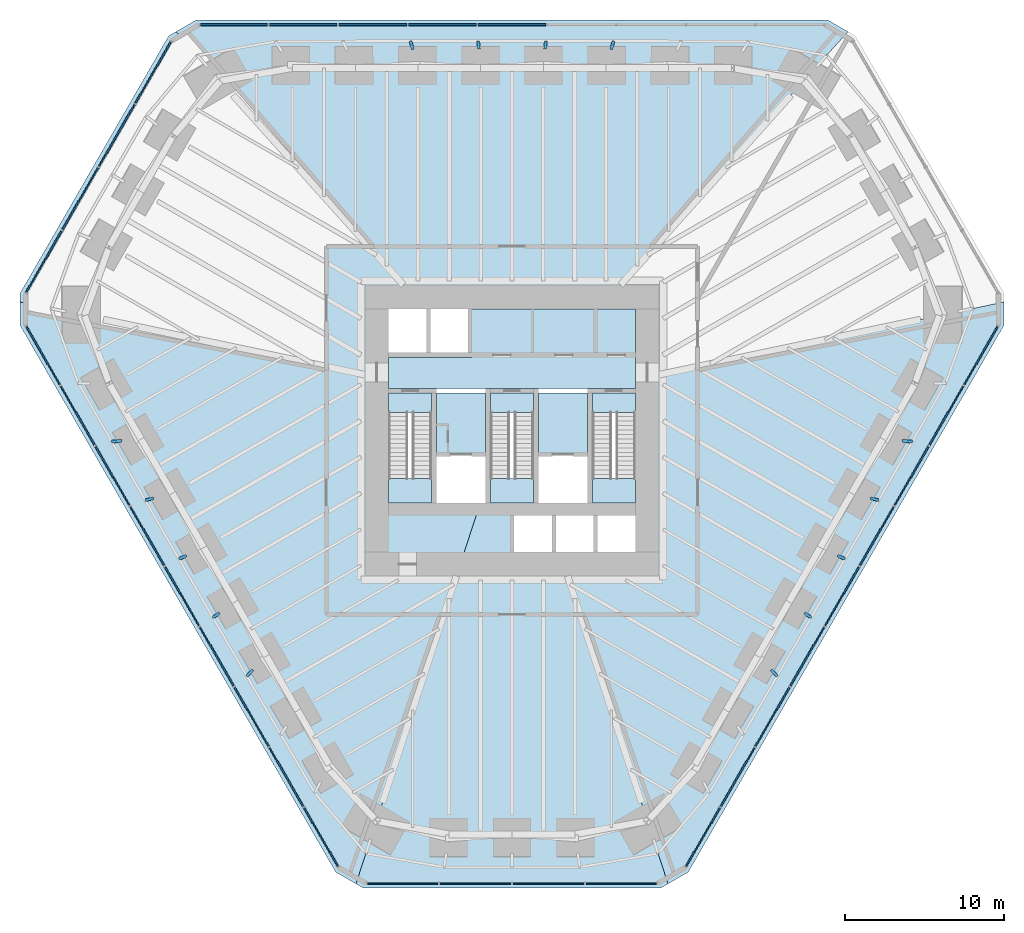
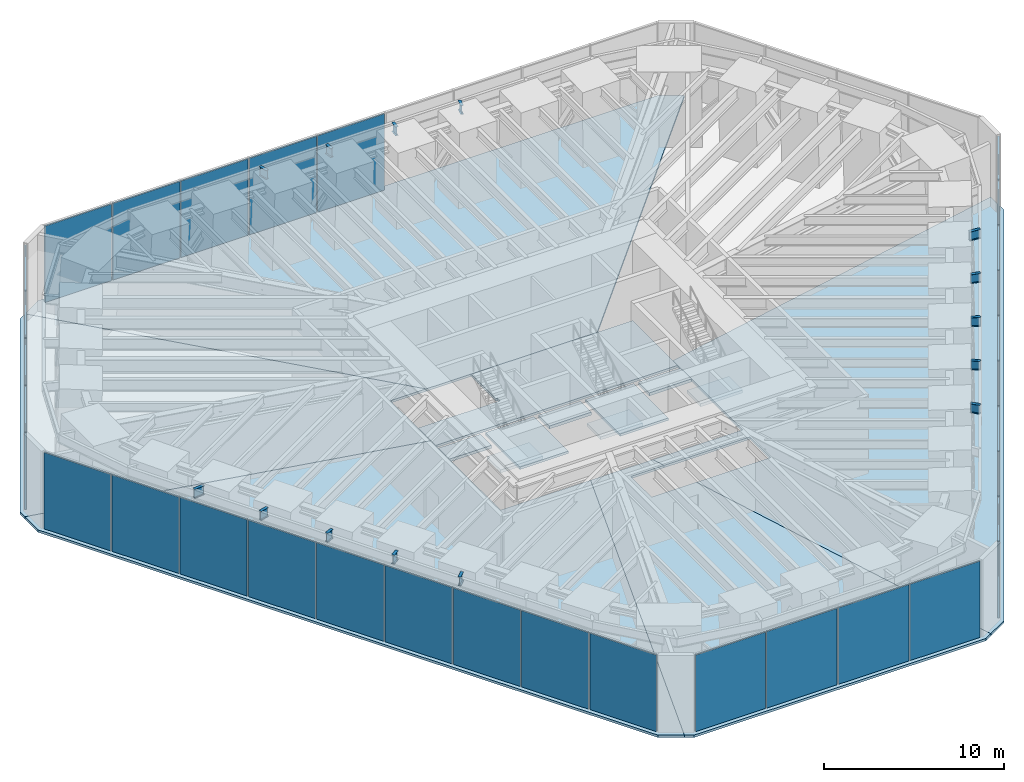
# One storey, part 10 of 13: 31 plates, 14 beams, 14 slabs, 8 elements without a shape of their own.
"""IFC4 building model written with IfcOpenShell, lengths in metres."""

from ifc_helpers import new_model, si_unit, direction, frame, origin, origin_2d, place, context, subcontext, project, spatial, polyline, rectangle, i_section, outline, extrude, material, layer, layer_set, material_profile, profile_set, type_object, element, aggregate, save


model = new_model("IFC4")

# Units and contexts
model_context = context("Model", 3, precision=1e-05, world=origin(), true_north=direction((0.0, 1.0)))
body_context = subcontext(model_context, "Body", "Model", "MODEL_VIEW")
ifc_project = project(units=[si_unit("LENGTHUNIT", "METRE"), si_unit("AREAUNIT", "SQUARE_METRE"), si_unit("VOLUMEUNIT", "CUBIC_METRE"), si_unit("PLANEANGLEUNIT", "RADIAN"), si_unit("MASSUNIT", "GRAM", prefix="KILO")], contexts=[model_context])

# Site, building, storey
site_placement = place(None, origin())
site = spatial("IfcSite", under=ifc_project, at=site_placement, CompositionType="ELEMENT")
building_placement = place(site_placement, origin())
building = spatial("IfcBuilding", under=site, at=building_placement, Name="Sandreach Pilgrim Tower", CompositionType="ELEMENT")
storey_placement = place(building_placement, frame((0.0, 0.0, 91.39990234375)))
storey = spatial("IfcBuildingStorey", under=building, at=storey_placement, Name="L22", CompositionType="ELEMENT", Elevation=91.39990234375)

# Beams
ifc_material_1 = material(Name="Steel ASTM A992 Grade 50", Category="steel")
ifc_material_profile = material_profile(ifc_material_1, i_section(OverallWidth=0.1787109375, OverallDepth=0.60205078125, WebThickness=0.010986328125, FlangeThickness=0.014892578125, at=origin_2d()), Name="W24X62")
ifc_profile_set = profile_set([ifc_material_profile], Name="Steel ASTM A992 Grade 50")
beam_type = type_object("IfcBeamType", Name="Setback roof outlooker W24X62", PredefinedType="BEAM", material=ifc_profile_set)
beam_1_placement = place(storey_placement, frame((-6.231689453125, 22.389892578125, 4.899169921875), z_axis=(-0.268093498765, 0.963392898002, 0.0), x_axis=(-0.963392898002, -0.268093498765, 0.0)))
element("IfcBeam", 1, at=beam_1_placement, inside=storey, type_object=beam_type, Name="BM L22 OL03", PredefinedType="BEAM", context=body_context, shape_type="SweptSolid", body=[
    extrude(i_section(OverallWidth=0.1787109375, OverallDepth=0.60205078125, WebThickness=0.010986328125, FlangeThickness=0.014892578125, at=origin_2d()), origin(), (0.0, 0.0, 1.0), 0.56005859375),
])
for number, where, z_axis, x_axis, name in (
    (2, (-2.080810546875, 22.4287109375, 4.899169921875), (-0.092645390143, 0.995699167261, 0.0), (-0.995699167261, -0.092645390143, 0.0), "BM L22 OL04"),
    (3, (2.080810546875, 22.4287109375, 4.899169921875), (0.092645390143, 0.995699167261, 0.0), (-0.995699167261, 0.092645390143, 0.0), "BM L22 OL05"),
):
    element("IfcBeam", number, at=place(storey_placement, frame(where, z_axis=z_axis, x_axis=x_axis)), inside=storey, type_object=beam_type, Name=name, PredefinedType="BEAM", context=body_context, shape_type="SweptSolid", body=[
        extrude(i_section(OverallWidth=0.1787109375, OverallDepth=0.60205078125, WebThickness=0.010986328125, FlangeThickness=0.014892578125, at=origin_2d()), origin(), (0.0, 0.0, 1.0), 0.51123046875),
    ])
beam_2_placement = place(storey_placement, frame((6.231689453125, 22.389892578125, 4.899169921875), z_axis=(0.268093498765, 0.963392898002, 0.0), x_axis=(-0.963392898002, 0.268093498765, 0.0)))
element("IfcBeam", 4, at=beam_2_placement, inside=storey, type_object=beam_type, Name="BM L22 OL06", PredefinedType="BEAM", context=body_context, shape_type="SweptSolid", body=[
    extrude(i_section(OverallWidth=0.1787109375, OverallDepth=0.60205078125, WebThickness=0.010986328125, FlangeThickness=0.014892578125, at=origin_2d()), origin(), (0.0, 0.0, 1.0), 0.56005859375),
])
beam_3_placement = place(storey_placement, frame((24.50927734375, -2.193603515625, 4.899169921875), z_axis=(0.996008707012, -0.089256123351, 0.0), x_axis=(0.089256123351, 0.996008707012, 0.0)))
element("IfcBeam", 5, at=beam_3_placement, inside=storey, type_object=beam_type, Name="BM L22 OL15", PredefinedType="BEAM", context=body_context, shape_type="SweptSolid", body=[
    extrude(i_section(OverallWidth=0.1787109375, OverallDepth=0.60205078125, WebThickness=0.010986328125, FlangeThickness=0.014892578125, at=origin_2d()), origin(), (0.0, 0.0, 1.0), 0.65380859375),
])
beam_4_placement = place(storey_placement, frame((22.506103515625, -5.798095703125, 4.899169921875), z_axis=(0.968321525115, -0.249706675919, 0.0), x_axis=(0.249706675919, 0.968321525115, 0.0)))
element("IfcBeam", 6, at=beam_4_placement, inside=storey, type_object=beam_type, Name="BM L22 OL16", PredefinedType="BEAM", context=body_context, shape_type="SweptSolid", body=[
    extrude(i_section(OverallWidth=0.1787109375, OverallDepth=0.60205078125, WebThickness=0.010986328125, FlangeThickness=0.014892578125, at=origin_2d()), origin(), (0.0, 0.0, 1.0), 0.560302734375),
])
beam_5_placement = place(storey_placement, frame((20.464111328125, -9.412353515625, 4.899169921875), z_axis=(0.908559320897, -0.41775586221, 0.0), x_axis=(0.41775586221, 0.908559320897, 0.0)))
element("IfcBeam", 7, at=beam_5_placement, inside=storey, type_object=beam_type, Name="BM L22 OL17", PredefinedType="BEAM", context=body_context, shape_type="SweptSolid", body=[
    extrude(i_section(OverallWidth=0.1787109375, OverallDepth=0.60205078125, WebThickness=0.010986328125, FlangeThickness=0.014892578125, at=origin_2d()), origin(), (0.0, 0.0, 1.0), 0.511474609375),
])
beam_6_placement = place(storey_placement, frame((18.38330078125, -13.016357421875, 4.899169921875), z_axis=(0.816146474828, -0.5778450758, 0.0), x_axis=(0.5778450758, 0.816146474828, 0.0)))
element("IfcBeam", 8, at=beam_6_placement, inside=storey, type_object=beam_type, Name="BM L22 OL18", PredefinedType="BEAM", context=body_context, shape_type="SweptSolid", body=[
    extrude(i_section(OverallWidth=0.1787109375, OverallDepth=0.60205078125, WebThickness=0.010986328125, FlangeThickness=0.014892578125, at=origin_2d()), origin(), (0.0, 0.0, 1.0), 0.51123046875),
])
for number, where, z_axis, x_axis, name in (
    (9, (16.2744140625, -16.591796875, 4.899169921875), (0.700097560904, -0.714047200972, 0.0), (0.714047200972, 0.700097560904, 0.0), "BM L22 OL19"),
    (10, (-16.2744140625, -16.591796875, 4.899169921875), (-0.700097560904, -0.714047200972, 0.0), (0.714047200972, -0.700097560904, 0.0), "BM L22 OL29"),
):
    element("IfcBeam", number, at=place(storey_placement, frame(where, z_axis=z_axis, x_axis=x_axis)), inside=storey, type_object=beam_type, Name=name, PredefinedType="BEAM", context=body_context, shape_type="SweptSolid", body=[
        extrude(i_section(OverallWidth=0.1787109375, OverallDepth=0.60205078125, WebThickness=0.010986328125, FlangeThickness=0.014892578125, at=origin_2d()), origin(), (0.0, 0.0, 1.0), 0.56005859375),
    ])
beam_7_placement = place(storey_placement, frame((-18.38330078125, -13.016357421875, 4.899169921875), z_axis=(-0.816146474828, -0.5778450758, 0.0), x_axis=(0.5778450758, -0.816146474828, 0.0)))
element("IfcBeam", 11, at=beam_7_placement, inside=storey, type_object=beam_type, Name="BM L22 OL30", PredefinedType="BEAM", context=body_context, shape_type="SweptSolid", body=[
    extrude(i_section(OverallWidth=0.1787109375, OverallDepth=0.60205078125, WebThickness=0.010986328125, FlangeThickness=0.014892578125, at=origin_2d()), origin(), (0.0, 0.0, 1.0), 0.51123046875),
])
beam_8_placement = place(storey_placement, frame((-20.464111328125, -9.412353515625, 4.899169921875), z_axis=(-0.908559320897, -0.41775586221, 0.0), x_axis=(0.41775586221, -0.908559320897, 0.0)))
element("IfcBeam", 12, at=beam_8_placement, inside=storey, type_object=beam_type, Name="BM L22 OL31", PredefinedType="BEAM", context=body_context, shape_type="SweptSolid", body=[
    extrude(i_section(OverallWidth=0.1787109375, OverallDepth=0.60205078125, WebThickness=0.010986328125, FlangeThickness=0.014892578125, at=origin_2d()), origin(), (0.0, 0.0, 1.0), 0.511474609375),
])
beam_9_placement = place(storey_placement, frame((-22.506103515625, -5.798095703125, 4.899169921875), z_axis=(-0.968321525115, -0.249706675919, 0.0), x_axis=(0.249706675919, -0.968321525115, 0.0)))
element("IfcBeam", 13, at=beam_9_placement, inside=storey, type_object=beam_type, Name="BM L22 OL32", PredefinedType="BEAM", context=body_context, shape_type="SweptSolid", body=[
    extrude(i_section(OverallWidth=0.1787109375, OverallDepth=0.60205078125, WebThickness=0.010986328125, FlangeThickness=0.014892578125, at=origin_2d()), origin(), (0.0, 0.0, 1.0), 0.560302734375),
])
beam_10_placement = place(storey_placement, frame((-24.50927734375, -2.193603515625, 4.899169921875), z_axis=(-0.996008707012, -0.089256123351, 0.0), x_axis=(0.089256123351, -0.996008707012, 0.0)))
element("IfcBeam", 14, at=beam_10_placement, inside=storey, type_object=beam_type, Name="BM L22 OL33", PredefinedType="BEAM", context=body_context, shape_type="SweptSolid", body=[
    extrude(i_section(OverallWidth=0.1787109375, OverallDepth=0.60205078125, WebThickness=0.010986328125, FlangeThickness=0.014892578125, at=origin_2d()), origin(), (0.0, 0.0, 1.0), 0.65380859375),
])

# Curtain wall, plates
ifc_material_2 = material(Name="Aluminium framed curtain wall", Category="aluminium")
curtain_wall_type = type_object("IfcCurtainWallType", Name="Plant storey louvred curtain wall", PredefinedType="NOTDEFINED", material=ifc_material_2)
curtain_wall_1_placement = place(storey_placement, origin())
curtain_wall_1 = element("IfcCurtainWall", 15, at=curtain_wall_1_placement, inside=storey, type_object=curtain_wall_type, Name="CW-L L22 N", PredefinedType="NOTDEFINED")
ifc_material_3 = material(Name="Aluminium weather louvre blades 100 deep", Category="aluminium")
ifc_layer_1 = layer(ifc_material_3, 0.10009765625)
ifc_layer_set_1 = layer_set([ifc_layer_1], Name="CW-L panel")
plate_type = type_object("IfcPlateType", Name="CW-L panel", PredefinedType="CURTAIN_PANEL", material=ifc_layer_set_1)
plate_1_placement = place(storey_placement, frame((-17.46630859375, 23.94873046875, 0.000244140625), z_axis=(0.0, 0.0, 1.0), x_axis=(1.0, 0.0, 0.0)))
plate_1 = element("IfcPlate", 16, at=plate_1_placement, type_object=plate_type, Name="CW-L panel 1", PredefinedType="CURTAIN_PANEL", context=body_context, shape_type="SweptSolid", body=[
    extrude(rectangle(XDim=4.25146484375, YDim=0.10009765625, at=origin_2d()), origin(), (0.0, 0.0, 1.0), 5.169921875),
])
plate_2_placement = place(storey_placement, frame((-13.11474609375, 23.94873046875, 0.000244140625), z_axis=(0.0, 0.0, 1.0), x_axis=(1.0, 0.0, 0.0)))
plate_2 = element("IfcPlate", 17, at=plate_2_placement, type_object=plate_type, Name="CW-L panel 2", PredefinedType="CURTAIN_PANEL", context=body_context, shape_type="SweptSolid", body=[
    extrude(rectangle(XDim=4.29150390625, YDim=0.10009765625, at=origin_2d()), origin(), (0.0, 0.0, 1.0), 5.169921875),
])
plate_3_placement = place(storey_placement, frame((-8.7431640625, 23.94873046875, 0.000244140625), z_axis=(0.0, 0.0, 1.0), x_axis=(1.0, 0.0, 0.0)))
plate_3 = element("IfcPlate", 18, at=plate_3_placement, type_object=plate_type, Name="CW-L panel 3", PredefinedType="CURTAIN_PANEL", context=body_context, shape_type="SweptSolid", body=[
    extrude(rectangle(XDim=4.29150390625, YDim=0.10009765625, at=origin_2d()), origin(), (0.0, 0.0, 1.0), 5.169921875),
])
plate_4_placement = place(storey_placement, frame((-4.37158203125, 23.94873046875, 0.000244140625), z_axis=(0.0, 0.0, 1.0), x_axis=(1.0, 0.0, 0.0)))
plate_4 = element("IfcPlate", 19, at=plate_4_placement, type_object=plate_type, Name="CW-L panel 4", PredefinedType="CURTAIN_PANEL", context=body_context, shape_type="SweptSolid", body=[
    extrude(rectangle(XDim=4.29150390625, YDim=0.10009765625, at=origin_2d()), origin(), (0.0, 0.0, 1.0), 5.169921875),
])
plate_5_placement = place(storey_placement, frame((0.0, 23.94873046875, 0.000244140625), z_axis=(0.0, 0.0, 1.0), x_axis=(1.0, 0.0, 0.0)))
plate_5 = element("IfcPlate", 20, at=plate_5_placement, type_object=plate_type, Name="CW-L panel 5", PredefinedType="CURTAIN_PANEL", context=body_context, shape_type="SweptSolid", body=[
    extrude(rectangle(XDim=4.29150390625, YDim=0.10009765625, at=origin_2d()), origin(), (0.0, 0.0, 1.0), 5.169921875),
])
aggregate(curtain_wall_1, [plate_1, plate_2, plate_3, plate_4, plate_5])

curtain_wall_2_placement = place(storey_placement, origin())
curtain_wall_2 = element("IfcCurtainWall", 21, at=curtain_wall_2_placement, inside=storey, type_object=curtain_wall_type, Name="CW-L L22 SE", PredefinedType="NOTDEFINED")
plate_6_placement = place(storey_placement, frame((29.473388671875, 3.15185546875, 0.000244140625), z_axis=(0.0, 0.0, 1.0), x_axis=(-0.5, -0.866025403784, 0.0)))
plate_6 = element("IfcPlate", 22, at=plate_6_placement, type_object=plate_type, Name="CW-L panel 1", PredefinedType="CURTAIN_PANEL", context=body_context, shape_type="SweptSolid", body=[
    extrude(rectangle(XDim=4.25146484375, YDim=0.10009765625, at=origin_2d()), origin(), (0.0, 0.0, 1.0), 5.169921875),
])
plate_7_placement = place(storey_placement, frame((27.297607421875, -0.61669921875, 0.000244140625), z_axis=(0.0, 0.0, 1.0), x_axis=(-0.5, -0.866025403784, 0.0)))
plate_7 = element("IfcPlate", 23, at=plate_7_placement, type_object=plate_type, Name="CW-L panel 2", PredefinedType="CURTAIN_PANEL", context=body_context, shape_type="SweptSolid", body=[
    extrude(rectangle(XDim=4.29150390625, YDim=0.10009765625, at=origin_2d()), origin(), (0.0, 0.0, 1.0), 5.169921875),
])
plate_8_placement = place(storey_placement, frame((25.11181640625, -4.402587890625, 0.000244140625), z_axis=(0.0, 0.0, 1.0), x_axis=(-0.5, -0.866025403784, 0.0)))
plate_8 = element("IfcPlate", 24, at=plate_8_placement, type_object=plate_type, Name="CW-L panel 3", PredefinedType="CURTAIN_PANEL", context=body_context, shape_type="SweptSolid", body=[
    extrude(rectangle(XDim=4.29150390625, YDim=0.10009765625, at=origin_2d()), origin(), (0.0, 0.0, 1.0), 5.169921875),
])
plate_9_placement = place(storey_placement, frame((22.926025390625, -8.1884765625, 0.000244140625), z_axis=(0.0, 0.0, 1.0), x_axis=(-0.5, -0.866025403784, 0.0)))
plate_9 = element("IfcPlate", 25, at=plate_9_placement, type_object=plate_type, Name="CW-L panel 4", PredefinedType="CURTAIN_PANEL", context=body_context, shape_type="SweptSolid", body=[
    extrude(rectangle(XDim=4.29150390625, YDim=0.10009765625, at=origin_2d()), origin(), (0.0, 0.0, 1.0), 5.169921875),
])
plate_10_placement = place(storey_placement, frame((20.740234375, -11.974365234375, 0.000244140625), z_axis=(0.0, 0.0, 1.0), x_axis=(-0.5, -0.866025403784, 0.0)))
plate_10 = element("IfcPlate", 26, at=plate_10_placement, type_object=plate_type, Name="CW-L panel 5", PredefinedType="CURTAIN_PANEL", context=body_context, shape_type="SweptSolid", body=[
    extrude(rectangle(XDim=4.29150390625, YDim=0.10009765625, at=origin_2d()), origin(), (0.0, 0.0, 1.0), 5.169921875),
])
plate_11_placement = place(storey_placement, frame((18.554443359375, -15.76025390625, 0.000244140625), z_axis=(0.0, 0.0, 1.0), x_axis=(-0.5, -0.866025403784, 0.0)))
plate_11 = element("IfcPlate", 27, at=plate_11_placement, type_object=plate_type, Name="CW-L panel 6", PredefinedType="CURTAIN_PANEL", context=body_context, shape_type="SweptSolid", body=[
    extrude(rectangle(XDim=4.29150390625, YDim=0.10009765625, at=origin_2d()), origin(), (0.0, 0.0, 1.0), 5.169921875),
])
plate_12_placement = place(storey_placement, frame((16.36865234375, -19.546142578125, 0.000244140625), z_axis=(0.0, 0.0, 1.0), x_axis=(-0.5, -0.866025403784, 0.0)))
plate_12 = element("IfcPlate", 28, at=plate_12_placement, type_object=plate_type, Name="CW-L panel 7", PredefinedType="CURTAIN_PANEL", context=body_context, shape_type="SweptSolid", body=[
    extrude(rectangle(XDim=4.29150390625, YDim=0.10009765625, at=origin_2d()), origin(), (0.0, 0.0, 1.0), 5.169921875),
])
plate_13_placement = place(storey_placement, frame((14.182861328125, -23.33203125, 0.000244140625), z_axis=(0.0, 0.0, 1.0), x_axis=(-0.5, -0.866025403784, 0.0)))
plate_13 = element("IfcPlate", 29, at=plate_13_placement, type_object=plate_type, Name="CW-L panel 8", PredefinedType="CURTAIN_PANEL", context=body_context, shape_type="SweptSolid", body=[
    extrude(rectangle(XDim=4.29150390625, YDim=0.10009765625, at=origin_2d()), origin(), (0.0, 0.0, 1.0), 5.169921875),
])
plate_14_placement = place(storey_placement, frame((12.007080078125, -27.1005859375, 0.000244140625), z_axis=(0.0, 0.0, 1.0), x_axis=(-0.5, -0.866025403784, 0.0)))
plate_14 = element("IfcPlate", 30, at=plate_14_placement, type_object=plate_type, Name="CW-L panel 9", PredefinedType="CURTAIN_PANEL", context=body_context, shape_type="SweptSolid", body=[
    extrude(rectangle(XDim=4.25146484375, YDim=0.10009765625, at=origin_2d()), origin(), (0.0, 0.0, 1.0), 5.169921875),
])
aggregate(curtain_wall_2, [plate_6, plate_7, plate_8, plate_9, plate_10, plate_11, plate_12, plate_13, plate_14])

curtain_wall_3_placement = place(storey_placement, origin())
curtain_wall_3 = element("IfcCurtainWall", 31, at=curtain_wall_3_placement, inside=storey, type_object=curtain_wall_type, Name="CW-L L22 S", PredefinedType="NOTDEFINED")
plate_15_placement = place(storey_placement, frame((6.859130859375, -30.010986328125, 0.000244140625), z_axis=(0.0, 0.0, 1.0), x_axis=(-1.0, 0.0, 0.0)))
plate_15 = element("IfcPlate", 32, at=plate_15_placement, type_object=plate_type, Name="CW-L panel 1", PredefinedType="CURTAIN_PANEL", context=body_context, shape_type="SweptSolid", body=[
    extrude(rectangle(XDim=4.466064453125, YDim=0.10009765625, at=origin_2d()), origin(), (0.0, 0.0, 1.0), 5.169921875),
])
plate_16_placement = place(storey_placement, frame((2.29296875, -30.010986328125, 0.000244140625), z_axis=(0.0, 0.0, 1.0), x_axis=(-1.0, 0.0, 0.0)))
plate_16 = element("IfcPlate", 33, at=plate_16_placement, type_object=plate_type, Name="CW-L panel 2", PredefinedType="CURTAIN_PANEL", context=body_context, shape_type="SweptSolid", body=[
    extrude(rectangle(XDim=4.506103515625, YDim=0.10009765625, at=origin_2d()), origin(), (0.0, 0.0, 1.0), 5.169921875),
])
plate_17_placement = place(storey_placement, frame((-2.29296875, -30.010986328125, 0.000244140625), z_axis=(0.0, 0.0, 1.0), x_axis=(-1.0, 0.0, 0.0)))
plate_17 = element("IfcPlate", 34, at=plate_17_placement, type_object=plate_type, Name="CW-L panel 3", PredefinedType="CURTAIN_PANEL", context=body_context, shape_type="SweptSolid", body=[
    extrude(rectangle(XDim=4.506103515625, YDim=0.10009765625, at=origin_2d()), origin(), (0.0, 0.0, 1.0), 5.169921875),
])
plate_18_placement = place(storey_placement, frame((-6.859130859375, -30.010986328125, 0.000244140625), z_axis=(0.0, 0.0, 1.0), x_axis=(-1.0, 0.0, 0.0)))
plate_18 = element("IfcPlate", 35, at=plate_18_placement, type_object=plate_type, Name="CW-L panel 4", PredefinedType="CURTAIN_PANEL", context=body_context, shape_type="SweptSolid", body=[
    extrude(rectangle(XDim=4.466064453125, YDim=0.10009765625, at=origin_2d()), origin(), (0.0, 0.0, 1.0), 5.169921875),
])
aggregate(curtain_wall_3, [plate_15, plate_16, plate_17, plate_18])

curtain_wall_4_placement = place(storey_placement, origin())
curtain_wall_4 = element("IfcCurtainWall", 36, at=curtain_wall_4_placement, inside=storey, type_object=curtain_wall_type, Name="CW-L L22 SW", PredefinedType="NOTDEFINED")
plate_19_placement = place(storey_placement, frame((-12.007080078125, -27.1005859375, 0.000244140625), z_axis=(0.0, 0.0, 1.0), x_axis=(-0.5, 0.866025403784, 0.0)))
plate_19 = element("IfcPlate", 37, at=plate_19_placement, type_object=plate_type, Name="CW-L panel 1", PredefinedType="CURTAIN_PANEL", context=body_context, shape_type="SweptSolid", body=[
    extrude(rectangle(XDim=4.25146484375, YDim=0.10009765625, at=origin_2d()), origin(), (0.0, 0.0, 1.0), 5.169921875),
])
plate_20_placement = place(storey_placement, frame((-14.182861328125, -23.33203125, 0.000244140625), z_axis=(0.0, 0.0, 1.0), x_axis=(-0.5, 0.866025403784, 0.0)))
plate_20 = element("IfcPlate", 38, at=plate_20_placement, type_object=plate_type, Name="CW-L panel 2", PredefinedType="CURTAIN_PANEL", context=body_context, shape_type="SweptSolid", body=[
    extrude(rectangle(XDim=4.29150390625, YDim=0.10009765625, at=origin_2d()), origin(), (0.0, 0.0, 1.0), 5.169921875),
])
plate_21_placement = place(storey_placement, frame((-16.36865234375, -19.546142578125, 0.000244140625), z_axis=(0.0, 0.0, 1.0), x_axis=(-0.5, 0.866025403784, 0.0)))
plate_21 = element("IfcPlate", 39, at=plate_21_placement, type_object=plate_type, Name="CW-L panel 3", PredefinedType="CURTAIN_PANEL", context=body_context, shape_type="SweptSolid", body=[
    extrude(rectangle(XDim=4.29150390625, YDim=0.10009765625, at=origin_2d()), origin(), (0.0, 0.0, 1.0), 5.169921875),
])
plate_22_placement = place(storey_placement, frame((-18.554443359375, -15.76025390625, 0.000244140625), z_axis=(0.0, 0.0, 1.0), x_axis=(-0.5, 0.866025403784, 0.0)))
plate_22 = element("IfcPlate", 40, at=plate_22_placement, type_object=plate_type, Name="CW-L panel 4", PredefinedType="CURTAIN_PANEL", context=body_context, shape_type="SweptSolid", body=[
    extrude(rectangle(XDim=4.29150390625, YDim=0.10009765625, at=origin_2d()), origin(), (0.0, 0.0, 1.0), 5.169921875),
])
plate_23_placement = place(storey_placement, frame((-20.740234375, -11.974365234375, 0.000244140625), z_axis=(0.0, 0.0, 1.0), x_axis=(-0.5, 0.866025403784, 0.0)))
plate_23 = element("IfcPlate", 41, at=plate_23_placement, type_object=plate_type, Name="CW-L panel 5", PredefinedType="CURTAIN_PANEL", context=body_context, shape_type="SweptSolid", body=[
    extrude(rectangle(XDim=4.29150390625, YDim=0.10009765625, at=origin_2d()), origin(), (0.0, 0.0, 1.0), 5.169921875),
])
plate_24_placement = place(storey_placement, frame((-22.926025390625, -8.1884765625, 0.000244140625), z_axis=(0.0, 0.0, 1.0), x_axis=(-0.5, 0.866025403784, 0.0)))
plate_24 = element("IfcPlate", 42, at=plate_24_placement, type_object=plate_type, Name="CW-L panel 6", PredefinedType="CURTAIN_PANEL", context=body_context, shape_type="SweptSolid", body=[
    extrude(rectangle(XDim=4.29150390625, YDim=0.10009765625, at=origin_2d()), origin(), (0.0, 0.0, 1.0), 5.169921875),
])
plate_25_placement = place(storey_placement, frame((-25.11181640625, -4.402587890625, 0.000244140625), z_axis=(0.0, 0.0, 1.0), x_axis=(-0.5, 0.866025403784, 0.0)))
plate_25 = element("IfcPlate", 43, at=plate_25_placement, type_object=plate_type, Name="CW-L panel 7", PredefinedType="CURTAIN_PANEL", context=body_context, shape_type="SweptSolid", body=[
    extrude(rectangle(XDim=4.29150390625, YDim=0.10009765625, at=origin_2d()), origin(), (0.0, 0.0, 1.0), 5.169921875),
])
plate_26_placement = place(storey_placement, frame((-27.297607421875, -0.61669921875, 0.000244140625), z_axis=(0.0, 0.0, 1.0), x_axis=(-0.5, 0.866025403784, 0.0)))
plate_26 = element("IfcPlate", 44, at=plate_26_placement, type_object=plate_type, Name="CW-L panel 8", PredefinedType="CURTAIN_PANEL", context=body_context, shape_type="SweptSolid", body=[
    extrude(rectangle(XDim=4.29150390625, YDim=0.10009765625, at=origin_2d()), origin(), (0.0, 0.0, 1.0), 5.169921875),
])
plate_27_placement = place(storey_placement, frame((-29.473388671875, 3.15185546875, 0.000244140625), z_axis=(0.0, 0.0, 1.0), x_axis=(-0.5, 0.866025403784, 0.0)))
plate_27 = element("IfcPlate", 45, at=plate_27_placement, type_object=plate_type, Name="CW-L panel 9", PredefinedType="CURTAIN_PANEL", context=body_context, shape_type="SweptSolid", body=[
    extrude(rectangle(XDim=4.25146484375, YDim=0.10009765625, at=origin_2d()), origin(), (0.0, 0.0, 1.0), 5.169921875),
])
aggregate(curtain_wall_4, [plate_19, plate_20, plate_21, plate_22, plate_23, plate_24, plate_25, plate_26, plate_27])

curtain_wall_5_placement = place(storey_placement, origin())
curtain_wall_5 = element("IfcCurtainWall", 46, at=curtain_wall_5_placement, inside=storey, type_object=curtain_wall_type, Name="CW-L L22 NW", PredefinedType="NOTDEFINED")
plate_28_placement = place(storey_placement, frame((-29.419677734375, 9.0654296875, 0.000244140625), z_axis=(0.0, 0.0, 1.0), x_axis=(0.5, 0.866025403784, 0.0)))
plate_28 = element("IfcPlate", 47, at=plate_28_placement, type_object=plate_type, Name="CW-L panel 1", PredefinedType="CURTAIN_PANEL", context=body_context, shape_type="SweptSolid", body=[
    extrude(rectangle(XDim=4.466064453125, YDim=0.10009765625, at=origin_2d()), origin(), (0.0, 0.0, 1.0), 5.169921875),
])
plate_29_placement = place(storey_placement, frame((-27.13671875, 13.01953125, 0.000244140625), z_axis=(0.0, 0.0, 1.0), x_axis=(0.5, 0.866025403784, 0.0)))
plate_29 = element("IfcPlate", 48, at=plate_29_placement, type_object=plate_type, Name="CW-L panel 2", PredefinedType="CURTAIN_PANEL", context=body_context, shape_type="SweptSolid", body=[
    extrude(rectangle(XDim=4.506103515625, YDim=0.10009765625, at=origin_2d()), origin(), (0.0, 0.0, 1.0), 5.169921875),
])
plate_30_placement = place(storey_placement, frame((-24.84375, 16.9912109375, 0.000244140625), z_axis=(0.0, 0.0, 1.0), x_axis=(0.5, 0.866025403784, 0.0)))
plate_30 = element("IfcPlate", 49, at=plate_30_placement, type_object=plate_type, Name="CW-L panel 3", PredefinedType="CURTAIN_PANEL", context=body_context, shape_type="SweptSolid", body=[
    extrude(rectangle(XDim=4.506103515625, YDim=0.10009765625, at=origin_2d()), origin(), (0.0, 0.0, 1.0), 5.169921875),
])
plate_31_placement = place(storey_placement, frame((-22.560546875, 20.945556640625, 0.000244140625), z_axis=(0.0, 0.0, 1.0), x_axis=(0.5, 0.866025403784, 0.0)))
plate_31 = element("IfcPlate", 50, at=plate_31_placement, type_object=plate_type, Name="CW-L panel 4", PredefinedType="CURTAIN_PANEL", context=body_context, shape_type="SweptSolid", body=[
    extrude(rectangle(XDim=4.466064453125, YDim=0.10009765625, at=origin_2d()), origin(), (0.0, 0.0, 1.0), 5.169921875),
])
aggregate(curtain_wall_5, [plate_28, plate_29, plate_30, plate_31])

# Slabs
ifc_material_4 = material(Name="Concrete 8000 psi", Category="concrete")
ifc_layer_2 = layer(ifc_material_4, 0.159912109375)
ifc_layer_set_2 = layer_set([ifc_layer_2], Name="Composite floor slab 160")
slab_type_1 = type_object("IfcSlabType", Name="Composite floor slab 160", PredefinedType="FLOOR", material=ifc_layer_set_2)
slab_1_placement = place(storey_placement, frame((0.0, 0.0, -0.159912109375)))
element("IfcSlab", 51, at=slab_1_placement, inside=storey, type_object=slab_type_1, Name="Floor slab L22 N sector", PredefinedType="FLOOR", context=body_context, shape_type="SweptSolid", body=[
    extrude(outline(polyline([(-19.84521484375, 24.248779296875), (19.84521484375, 24.248779296875), (21.115478515625, 23.515380859375), (5.477294921875, 6.10009765625), (-5.477294921875, 6.10009765625), (-21.115478515625, 23.515380859375), (-19.84521484375, 24.248779296875)])), origin(), (0.0, 0.0, 1.0), 0.159912109375),
])
slab_2_placement = place(storey_placement, frame((0.0, 0.0, -0.159912109375)))
element("IfcSlab", 52, at=slab_2_placement, inside=storey, type_object=slab_type_1, Name="Floor slab L22 SE sector", PredefinedType="FLOOR", context=body_context, shape_type="SweptSolid", body=[
    extrude(outline(polyline([(30.922607421875, 5.062255859375), (11.077392578125, -29.310791015625), (9.80712890625, -30.044189453125), (3.003173828125, -9.199951171875), (7.75, -9.199951171875), (7.75, -6.89990234375), (2.252197265625, -6.89990234375), (1.9912109375, -6.10009765625), (7.75, -6.10009765625), (7.75, 1.63623046875), (30.922607421875, 6.52880859375), (30.922607421875, 5.062255859375)])), origin(), (0.0, 0.0, 1.0), 0.159912109375),
])
slab_3_placement = place(storey_placement, frame((0.0, 0.0, -0.159912109375)))
element("IfcSlab", 53, at=slab_3_placement, inside=storey, type_object=slab_type_1, Name="Floor slab L22 S sector", PredefinedType="FLOOR", context=body_context, shape_type="SweptSolid", body=[
    extrude(outline(polyline([(9.34521484375, -30.310791015625), (-9.34521484375, -30.310791015625), (-9.80712890625, -30.044189453125), (-1.9912109375, -6.10009765625), (1.9912109375, -6.10009765625), (2.252197265625, -6.89990234375), (0.125, -6.89990234375), (0.125, -9.199951171875), (3.003173828125, -9.199951171875), (9.80712890625, -30.044189453125), (9.34521484375, -30.310791015625)])), origin(), (0.0, 0.0, 1.0), 0.159912109375),
])
slab_4_placement = place(storey_placement, frame((0.0, 0.0, -0.159912109375)))
element("IfcSlab", 54, at=slab_4_placement, inside=storey, type_object=slab_type_1, Name="Floor slab L22 SW sector", PredefinedType="FLOOR", context=body_context, shape_type="SweptSolid", body=[
    extrude(outline(polyline([(-11.077392578125, -29.310791015625), (-30.922607421875, 5.062255859375), (-30.922607421875, 6.52880859375), (-7.75, 1.63623046875), (-7.75, -6.10009765625), (-1.9912109375, -6.10009765625), (-9.80712890625, -30.044189453125), (-11.077392578125, -29.310791015625)])), origin(), (0.0, 0.0, 1.0), 0.159912109375),
])
slab_5_placement = place(storey_placement, frame((0.0, 0.0, -0.159912109375)))
element("IfcSlab", 55, at=slab_5_placement, inside=storey, type_object=slab_type_1, Name="Floor slab L22 NW sector", PredefinedType="FLOOR", context=body_context, shape_type="SweptSolid", body=[
    extrude(outline(polyline([(-30.922607421875, 7.062255859375), (-21.577392578125, 23.248779296875), (-21.115478515625, 23.515380859375), (-5.477294921875, 6.10009765625), (-7.75, 6.10009765625), (-7.75, 1.63623046875), (-30.922607421875, 6.52880859375), (-30.922607421875, 7.062255859375)])), origin(), (0.0, 0.0, 1.0), 0.159912109375),
])
slab_6_placement = place(storey_placement, frame((0.0, 0.0, -0.159912109375)))
element("IfcSlab", 56, at=slab_6_placement, inside=storey, type_object=slab_type_1, Name="Core floor slab L22", PredefinedType="FLOOR", context=body_context, shape_type="SweptSolid", body=[
    extrude(outline(polyline([(-7.75, 3.050048828125), (-5.375, 3.050048828125), (-5.125, 3.050048828125), (-2.5, 3.050048828125), (-2.5, 3.35009765625), (-2.60009765625, 3.35009765625), (-2.60009765625, 6.10009765625), (7.75, 6.10009765625), (7.75, 1.10009765625), (5.050048828125, 1.10009765625), (4.75, 1.10009765625), (1.64990234375, 1.10009765625), (1.35009765625, 1.10009765625), (-1.35009765625, 1.10009765625), (-1.64990234375, 1.10009765625), (-4.75, 1.10009765625), (-5.050048828125, 1.10009765625), (-7.75, 1.10009765625), (-7.75, 3.050048828125)])), origin(), (0.0, 0.0, 1.0), 0.159912109375),
])
slab_7_placement = place(storey_placement, frame((0.0, 0.0, -0.159912109375)))
element("IfcSlab", 57, at=slab_7_placement, inside=storey, type_object=slab_type_1, Name="Core floor slab L22 2", PredefinedType="FLOOR", context=body_context, shape_type="SweptSolid", body=[
    extrude(outline(polyline([(-1.64990234375, -3.050048828125), (-4.75, -3.050048828125), (-4.75, 0.800048828125), (-1.64990234375, 0.800048828125), (-1.64990234375, -3.050048828125)])), origin(), (0.0, 0.0, 1.0), 0.159912109375),
])
slab_8_placement = place(storey_placement, frame((0.0, 0.0, -0.159912109375)))
element("IfcSlab", 58, at=slab_8_placement, inside=storey, type_object=slab_type_1, Name="Core floor slab L22 3", PredefinedType="FLOOR", context=body_context, shape_type="SweptSolid", body=[
    extrude(outline(polyline([(4.75, -3.050048828125), (1.64990234375, -3.050048828125), (1.64990234375, 0.800048828125), (4.75, 0.800048828125), (4.75, -3.050048828125)])), origin(), (0.0, 0.0, 1.0), 0.159912109375),
])

# Stair, slabs
ifc_material_5 = material(Name="Concrete 8000 psi", Category="concrete")
stair_type = type_object("IfcStairType", Name="Core exit stair", PredefinedType="HALF_TURN_STAIR", material=ifc_material_5)
stair_1_placement = place(storey_placement, origin())
stair_1 = element("IfcStair", 59, at=stair_1_placement, inside=storey, type_object=stair_type, Name="Exit stair ST1 L22", PredefinedType="HALF_TURN_STAIR")
ifc_material_6 = material(Name="Concrete 8000 psi", Category="concrete")
ifc_layer_3 = layer(ifc_material_6, 0.199951171875)
ifc_layer_set_3 = layer_set([ifc_layer_3], Name="Core stair landing 200")
slab_type_2 = type_object("IfcSlabType", Name="Core stair landing 200", PredefinedType="LANDING", material=ifc_layer_set_3)
slab_9_placement = place(storey_placement, frame((0.0, 0.0, -0.199951171875)))
slab_9 = element("IfcSlab", 60, at=slab_9_placement, type_object=slab_type_2, Name="ST1 landing 1", PredefinedType="LANDING", context=body_context, shape_type="SweptSolid", body=[
    extrude(outline(polyline([(-7.75, -0.425048828125), (-5.050048828125, -0.425048828125), (-5.050048828125, 0.800048828125), (-7.75, 0.800048828125), (-7.75, -0.425048828125)])), origin(), (0.0, 0.0, 1.0), 0.199951171875),
])
slab_10_placement = place(storey_placement, frame((0.0, 0.0, 2.5)))
slab_10 = element("IfcSlab", 61, at=slab_10_placement, type_object=slab_type_2, Name="ST1 landing 2", PredefinedType="LANDING", context=body_context, shape_type="SweptSolid", body=[
    extrude(outline(polyline([(-7.75, -6.10009765625), (-5.050048828125, -6.10009765625), (-5.050048828125, -4.574951171875), (-7.75, -4.574951171875), (-7.75, -6.10009765625)])), origin(), (0.0, 0.0, 1.0), 0.2001953125),
])
aggregate(stair_1, [slab_9, slab_10])

stair_2_placement = place(storey_placement, origin())
stair_2 = element("IfcStair", 62, at=stair_2_placement, inside=storey, type_object=stair_type, Name="Exit stair ST3 L22", PredefinedType="HALF_TURN_STAIR")
slab_11_placement = place(storey_placement, frame((0.0, 0.0, -0.199951171875)))
slab_11 = element("IfcSlab", 63, at=slab_11_placement, type_object=slab_type_2, Name="ST3 landing 1", PredefinedType="LANDING", context=body_context, shape_type="SweptSolid", body=[
    extrude(outline(polyline([(-1.35009765625, -0.425048828125), (1.35009765625, -0.425048828125), (1.35009765625, 0.800048828125), (-1.35009765625, 0.800048828125), (-1.35009765625, -0.425048828125)])), origin(), (0.0, 0.0, 1.0), 0.199951171875),
])
slab_12_placement = place(storey_placement, frame((0.0, 0.0, 2.5)))
slab_12 = element("IfcSlab", 64, at=slab_12_placement, type_object=slab_type_2, Name="ST3 landing 2", PredefinedType="LANDING", context=body_context, shape_type="SweptSolid", body=[
    extrude(outline(polyline([(-1.35009765625, -6.10009765625), (1.35009765625, -6.10009765625), (1.35009765625, -4.574951171875), (-1.35009765625, -4.574951171875), (-1.35009765625, -6.10009765625)])), origin(), (0.0, 0.0, 1.0), 0.2001953125),
])
aggregate(stair_2, [slab_11, slab_12])

stair_3_placement = place(storey_placement, origin())
stair_3 = element("IfcStair", 65, at=stair_3_placement, inside=storey, type_object=stair_type, Name="Exit stair ST2 L22", PredefinedType="HALF_TURN_STAIR")
slab_13_placement = place(storey_placement, frame((0.0, 0.0, -0.199951171875)))
slab_13 = element("IfcSlab", 66, at=slab_13_placement, type_object=slab_type_2, Name="ST2 landing 1", PredefinedType="LANDING", context=body_context, shape_type="SweptSolid", body=[
    extrude(outline(polyline([(5.050048828125, -0.425048828125), (7.75, -0.425048828125), (7.75, 0.800048828125), (5.050048828125, 0.800048828125), (5.050048828125, -0.425048828125)])), origin(), (0.0, 0.0, 1.0), 0.199951171875),
])
slab_14_placement = place(storey_placement, frame((0.0, 0.0, 2.5)))
slab_14 = element("IfcSlab", 67, at=slab_14_placement, type_object=slab_type_2, Name="ST2 landing 2", PredefinedType="LANDING", context=body_context, shape_type="SweptSolid", body=[
    extrude(outline(polyline([(5.050048828125, -6.10009765625), (7.75, -6.10009765625), (7.75, -4.574951171875), (5.050048828125, -4.574951171875), (5.050048828125, -6.10009765625)])), origin(), (0.0, 0.0, 1.0), 0.2001953125),
])
aggregate(stair_3, [slab_13, slab_14])

save(model, "model.ifc")
